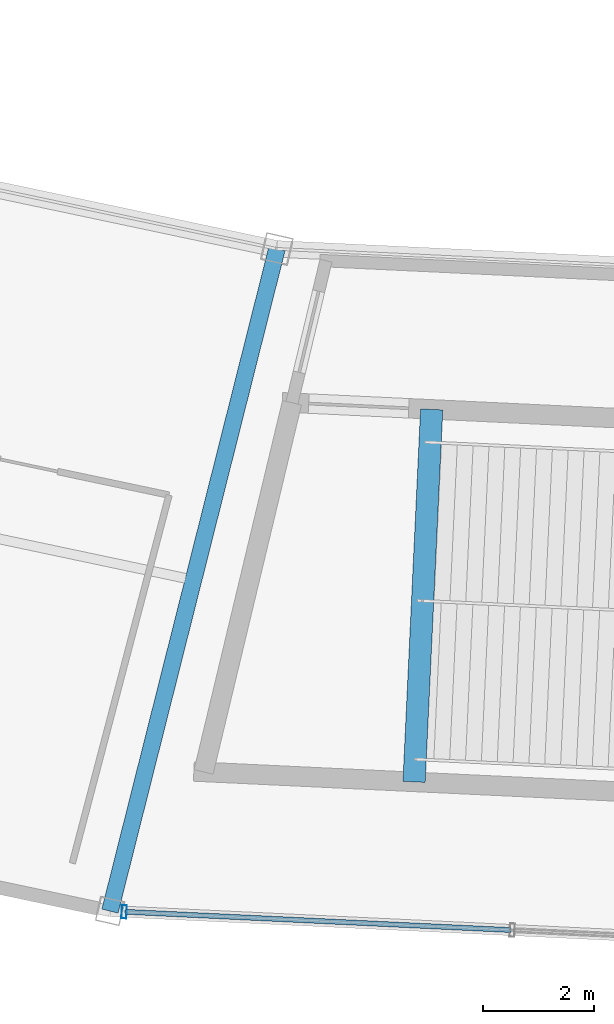
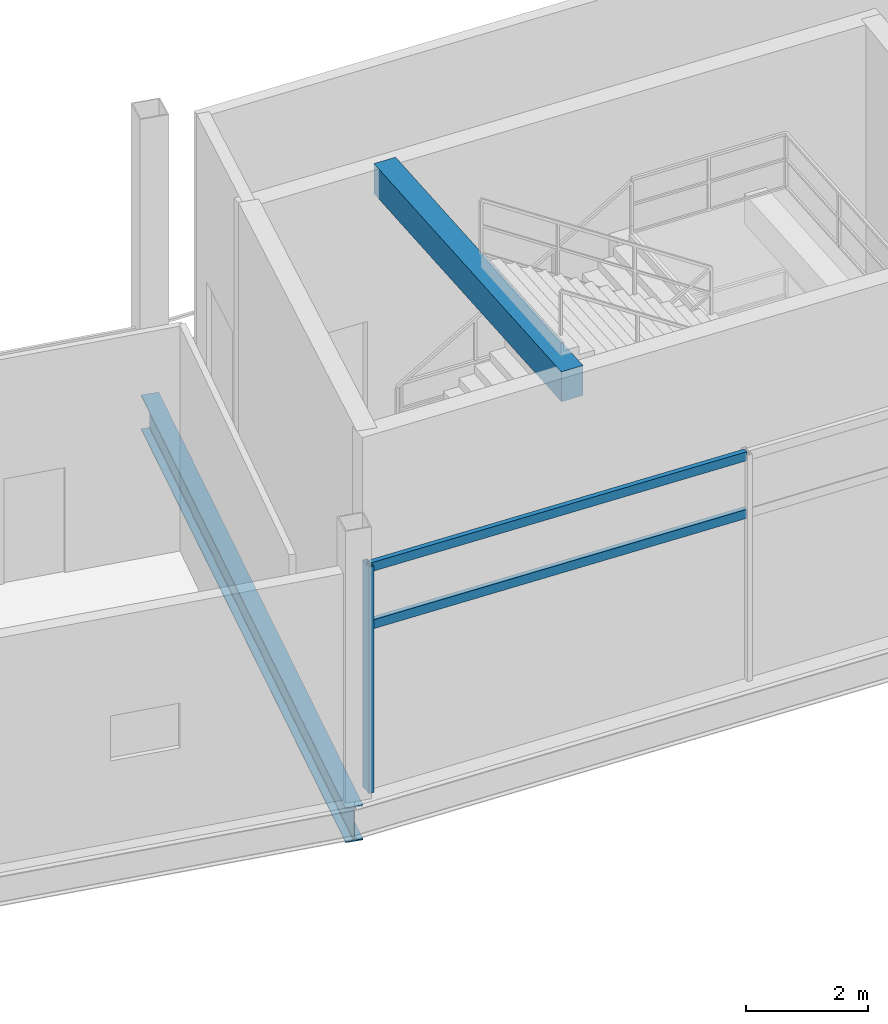
# One storey, part 22 of 103: 3 members, 2 beams, 1 element without a shape of its own.
"""IFC4 building model written with IfcOpenShell, lengths in metres."""

from ifc_helpers import new_model, si_unit, direction, frame, origin, origin_2d, place, context, subcontext, project, spatial, rectangle, hollow_rectangle, i_section, extrude, material, layer, layer_set, material_profile, profile_set, type_object, element, aggregate, save


model = new_model("IFC4")

# Units and contexts
model_context = context("Model", 3, precision=1e-05, world=origin(), true_north=direction((0.0, 1.0)))
body_context = subcontext(model_context, "Body", "Model", "MODEL_VIEW")
ifc_project = project(units=[si_unit("LENGTHUNIT", "METRE"), si_unit("AREAUNIT", "SQUARE_METRE"), si_unit("VOLUMEUNIT", "CUBIC_METRE"), si_unit("PLANEANGLEUNIT", "RADIAN"), si_unit("MASSUNIT", "GRAM", prefix="KILO")], contexts=[model_context])

# Site, building, storey
site_placement = place(None, origin())
site = spatial("IfcSite", under=ifc_project, at=site_placement, CompositionType="ELEMENT")
building_placement = place(site_placement, origin())
building = spatial("IfcBuilding", under=site, at=building_placement, Name="Kazemori Nagisa Stadium", CompositionType="ELEMENT")
storey_placement = place(building_placement, frame((0.0, 0.0, 25.840087890625)))
storey = spatial("IfcBuildingStorey", under=building, at=storey_placement, Name="L05", CompositionType="ELEMENT", Elevation=25.840087890625)

# Beams
ifc_material_1 = material(Name="Steel SN490B", Category="steel")
ifc_material_profile_1 = material_profile(ifc_material_1, i_section(OverallWidth=0.300048828125, OverallDepth=0.699951171875, WebThickness=0.012939453125, FlangeThickness=0.02392578125, FilletRadius=0.01806640625, at=origin_2d()), Name="H-700x300x13x24")
ifc_profile_set_1 = profile_set([ifc_material_profile_1], Name="Steel SN490B")
beam_type_1 = type_object("IfcBeamType", Name="Beam_BG-H700", PredefinedType="BEAM", material=ifc_profile_set_1)
beam_1_placement = place(storey_placement, frame((104.572265625, 28.911376953125, -0.610107421875), z_axis=(-0.244487324834, -0.969652488263, 0.0), x_axis=(0.969652488263, -0.244487324834, 0.0)))
element("IfcBeam", 1, at=beam_1_placement, inside=storey, type_object=beam_type_1, Name="Radial girder BG-H700 L05 R2-R3-21", PredefinedType="BEAM", context=body_context, shape_type="SweptSolid", body=[
    extrude(i_section(OverallWidth=0.300048828125, OverallDepth=0.699951171875, WebThickness=0.012939453125, FlangeThickness=0.02392578125, FilletRadius=0.01806640625, at=origin_2d()), origin(), (0.0, 0.0, 1.0), 12.2705078125),
])
ifc_material_2 = material(Name="Concrete C40/50 (Fc42)", Category="concrete")
ifc_material_profile_2 = material_profile(ifc_material_2, rectangle(XDim=0.39990234375, YDim=0.60009765625, at=origin_2d()), Name="RC-BM-400x600")
ifc_profile_set_2 = profile_set([ifc_material_profile_2], Name="Concrete C40/50 (Fc42)")
beam_type_2 = type_object("IfcBeamType", Name="Beam_BG-LND400X600", PredefinedType="BEAM", material=ifc_profile_set_2)
beam_2_placement = place(storey_placement, frame((107.352783203125, 26.02783203125, 4.8798828125), z_axis=(-0.047220656191, -0.998884482625, 0.0), x_axis=(0.998884482625, -0.047220656191, 0.0)))
element("IfcBeam", 2, at=beam_2_placement, inside=storey, type_object=beam_type_2, Name="Core stair arrival header girder ST12-L05", PredefinedType="BEAM", context=body_context, shape_type="SweptSolid", body=[
    extrude(rectangle(XDim=0.39990234375, YDim=0.60009765625, at=origin_2d()), origin(), (0.0, 0.0, 1.0), 6.70068359375),
])

# Curtain wall, members
ifc_material_3 = material(Name="Anodised aluminium 6063-T5", Category="aluminium")
ifc_layer = layer(ifc_material_3, 0.239990234375, Name="Anodised aluminium 6063-T5", Category="aluminium")
ifc_layer_set = layer_set([ifc_layer], Name="Anodised aluminium 6063-T5")
curtain_wall_type = type_object("IfcCurtainWallType", Name="CW_L05R3_105", PredefinedType="USERDEFINED", material=ifc_layer_set)
curtain_wall_placement = place(storey_placement, origin())
curtain_wall = element("IfcCurtainWall", 3, at=curtain_wall_placement, inside=storey, type_object=curtain_wall_type, Name="Unitised curtain wall CW-L05R3-105 L05", ObjectType="UNITISED CURTAIN WALL", PredefinedType="USERDEFINED")
ifc_material_4 = material(Name="Aluminium 6063-T5 anodised", Category="aluminium")
ifc_material_profile_3 = material_profile(ifc_material_4, hollow_rectangle(XDim=0.090087890625, YDim=0.239990234375, WallThickness=0.0048828125, at=origin_2d()), Name="ALU-MULL-90x240x5")
ifc_profile_set_3 = profile_set([ifc_material_profile_3], Name="Aluminium 6063-T5 anodised")
member_type_1 = type_object("IfcMemberType", Name="Mullion_M03", PredefinedType="MULLION", material=ifc_profile_set_3)
member_1_placement = place(storey_placement, frame((101.8271484375, 17.001220703125, 0.0), z_axis=(0.0, 0.0, 1.0), x_axis=(0.998884022476, -0.047230388971, 0.0)))
member_1 = element("IfcMember", 4, at=member_1_placement, type_object=member_type_1, Name="Curtain wall mullion CW-L05R3-105-M1", PredefinedType="MULLION", context=body_context, shape_type="SweptSolid", body=[
    extrude(hollow_rectangle(XDim=0.090087890625, YDim=0.239990234375, WallThickness=0.0048828125, at=origin_2d()), origin(), (0.0, 0.0, 1.0), 4.530029296875),
])
ifc_material_profile_4 = material_profile(ifc_material_4, hollow_rectangle(XDim=0.090087890625, YDim=0.179931640625, WallThickness=0.0048828125, at=origin_2d()), Name="ALU-TRAN-90x180x5")
ifc_profile_set_4 = profile_set([ifc_material_profile_4], Name="Aluminium 6063-T5 anodised")
member_type_2 = type_object("IfcMemberType", Name="Transom_T03", PredefinedType="USERDEFINED", material=ifc_profile_set_4)
member_2_placement = place(storey_placement, frame((101.846923828125, 17.000244140625, 3.306884765625), z_axis=(0.998883524201, -0.047240925908, 0.0), x_axis=(0.047240925908, 0.998883524201, 0.0)))
member_2 = element("IfcMember", 5, at=member_2_placement, type_object=member_type_2, Name="Curtain wall transom CW-L05R3-105-T1-mid", ObjectType="TRANSOM", PredefinedType="USERDEFINED", context=body_context, shape_type="SweptSolid", body=[
    extrude(hollow_rectangle(XDim=0.090087890625, YDim=0.179931640625, WallThickness=0.0048828125, at=origin_2d()), origin(), (0.0, 0.0, 1.0), 6.940673828125),
])
member_3_placement = place(storey_placement, frame((101.846923828125, 17.000244140625, 4.4599609375), z_axis=(0.998883524201, -0.047240925908, 0.0), x_axis=(0.047240925908, 0.998883524201, 0.0)))
member_3 = element("IfcMember", 6, at=member_3_placement, type_object=member_type_2, Name="Curtain wall transom CW-L05R3-105-T1-head", ObjectType="TRANSOM", PredefinedType="USERDEFINED", context=body_context, shape_type="SweptSolid", body=[
    extrude(hollow_rectangle(XDim=0.090087890625, YDim=0.179931640625, WallThickness=0.0048828125, at=origin_2d()), origin(), (0.0, 0.0, 1.0), 6.940673828125),
])
aggregate(curtain_wall, [member_1, member_2, member_3])

save(model, "model.ifc")
